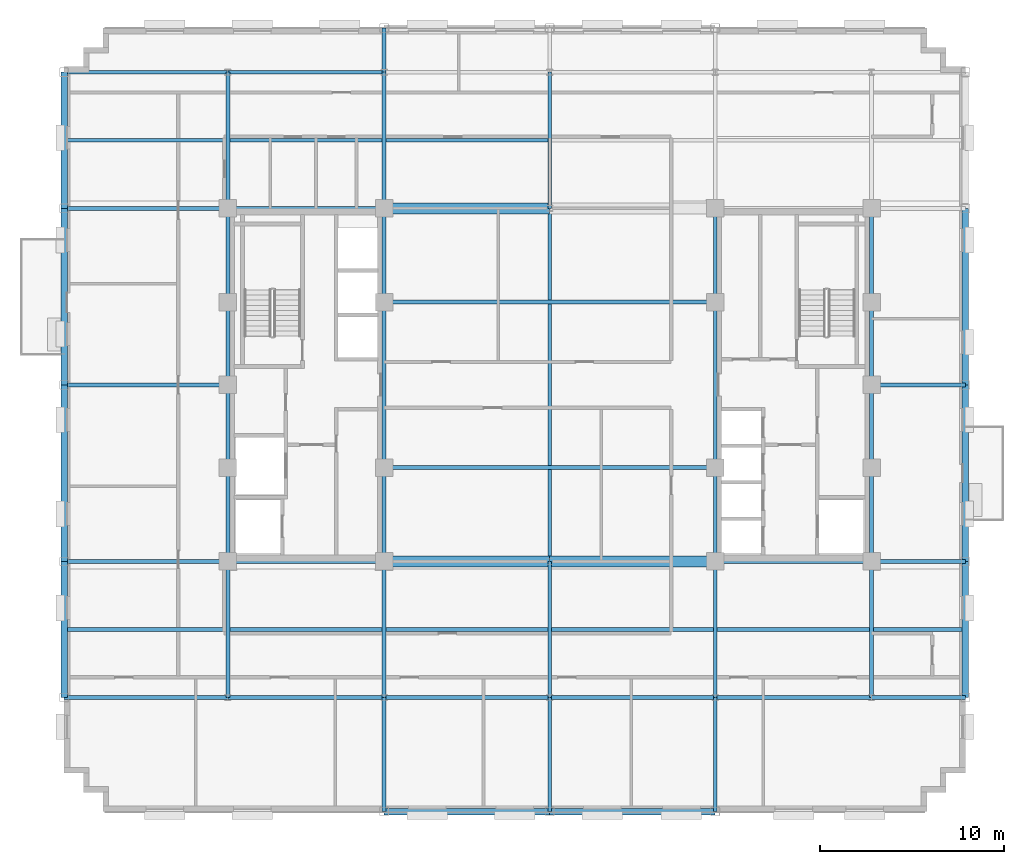
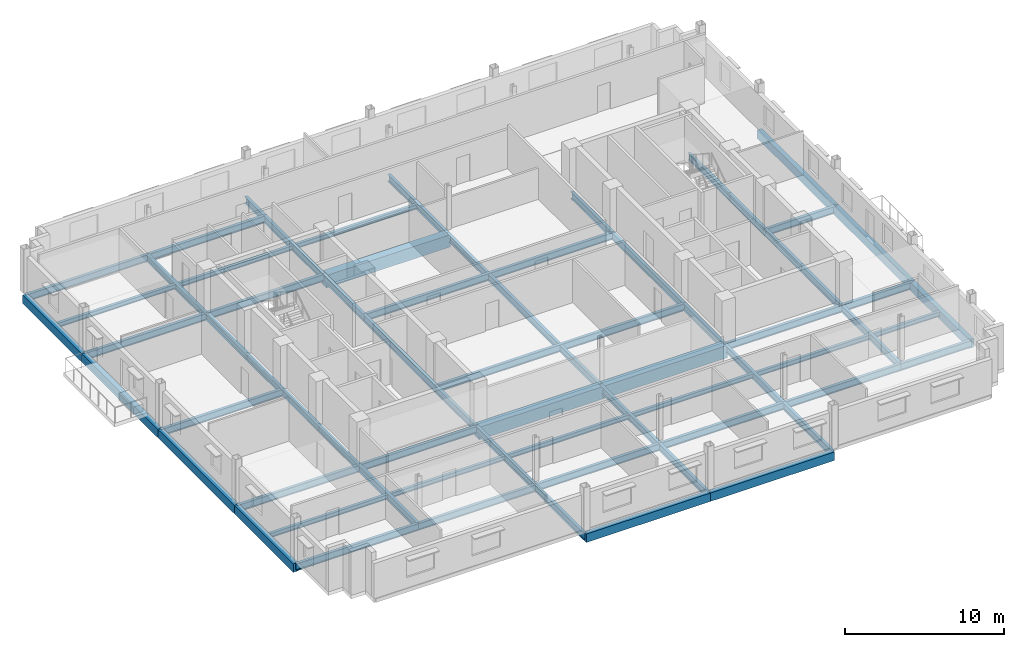
# One storey, part 5 of 15: 66 beams.
"""IFC4 building model written with IfcOpenShell, lengths in metres."""

import ifcopenshell
import ifcopenshell.guid

model = None  # the IFC model being written
_history = None  # IfcOwnerHistory: only IFC2X3 demands one
_inside = {}  # id of a spatial element -> (the spatial element, [elements in it])
_under = {}  # id of a project, library or spatial element -> (it, [spatial elements below it])
_declared = {}  # id of a project -> (the project, [libraries it declares])
_typed = {}  # id of a type object -> (the type object, [elements of that type])
_made_of = {}  # id of a material, layer set ... -> (it, [elements and type objects made of it])


def new_model(schema):
    """Start an empty IFC model of exactly this schema.

    Asked for "IFC4X3", IfcOpenShell would pick the latest addendum, in which some entities
    have other attributes; the version numbers below select the first issue.
    IFC2X3 requires an IfcOwnerHistory on every rooted entity: one is made here for all.
    """
    global model, _history
    if schema == "IFC4X3":
        model = ifcopenshell.file(schema_version=(4, 3, 0, 0))
    else:
        model = ifcopenshell.file(schema=schema)
    _inside.clear()
    _under.clear()
    _declared.clear()
    _typed.clear()
    _made_of.clear()
    _history = None
    if model.schema == "IFC2X3":
        org = make("IfcOrganization", Name="unknown")
        user = make(
            "IfcPersonAndOrganization",
            ThePerson=make("IfcPerson", FamilyName="unknown"),
            TheOrganization=org,
        )
        app = make(
            "IfcApplication",
            ApplicationDeveloper=org,
            Version="unknown",
            ApplicationFullName="unknown",
            ApplicationIdentifier="unknown",
        )
        _history = make(
            "IfcOwnerHistory",
            OwningUser=user,
            OwningApplication=app,
            ChangeAction="ADDED",
            CreationDate=0,
        )
    return model


def make(cls, **values):
    """One entity of the class cls with the attributes given. An attribute that is None is left unset."""
    return model.create_entity(
        cls, **{name: value for name, value in values.items() if value is not None}
    )


def rooted(cls, **values):
    """An entity with a GlobalId (a new one), such as an element, a storey or a relation."""
    return make(cls, GlobalId=ifcopenshell.guid.new(), OwnerHistory=_history, **values)


def si_unit(unit_type, name, prefix=None):
    """IfcSIUnit, for example si_unit("LENGTHUNIT", "METRE", prefix="MILLI")."""
    return make("IfcSIUnit", UnitType=unit_type, Prefix=prefix, Name=name)


def assignment(units):
    """IfcUnitAssignment: the units of a project."""
    return None if units is None else make("IfcUnitAssignment", Units=units)


def point(xyz):
    """IfcCartesianPoint."""
    return None if xyz is None else make("IfcCartesianPoint", Coordinates=xyz)


def direction(xyz):
    """IfcDirection."""
    return None if xyz is None else make("IfcDirection", DirectionRatios=xyz)


def frame(location, z_axis=None, x_axis=None):
    """IfcAxis2Placement3D, a coordinate frame: its origin and axes. An axis left out is left unset."""
    return make(
        "IfcAxis2Placement3D",
        Location=point(location),
        Axis=direction(z_axis),
        RefDirection=direction(x_axis),
    )


def frame_2d(location, x_axis=None):
    """IfcAxis2Placement2D, a coordinate frame in the plane: its origin and x axis."""
    return make(
        "IfcAxis2Placement2D", Location=point(location), RefDirection=direction(x_axis)
    )


def origin():
    """The frame at (0, 0, 0) with its axes left unset."""
    return frame((0.0, 0.0, 0.0))


def origin_2d():
    """The frame at (0, 0) in the plane with its x axis left unset."""
    return frame_2d((0.0, 0.0))


def place(relative_to, where):
    """IfcLocalPlacement: puts the frame where relative to a parent placement (None: the world)."""
    return make(
        "IfcLocalPlacement", PlacementRelTo=relative_to, RelativePlacement=where
    )


def context(
    kind, dimensions, precision=None, world=None, true_north=None, identifier=None
):
    """IfcGeometricRepresentationContext, for example the 3D "Model" context."""
    return make(
        "IfcGeometricRepresentationContext",
        ContextIdentifier=identifier,
        ContextType=kind,
        CoordinateSpaceDimension=dimensions,
        Precision=precision,
        WorldCoordinateSystem=world,
        TrueNorth=true_north,
    )


def subcontext(parent, identifier, kind, view, scale=None):
    """IfcGeometricRepresentationSubContext, for example "Body" below "Model"."""
    return make(
        "IfcGeometricRepresentationSubContext",
        ContextIdentifier=identifier,
        ContextType=kind,
        ParentContext=parent,
        TargetScale=scale,
        TargetView=view,
    )


def project(units=None, contexts=None):
    """IfcProject with its units and contexts."""
    return rooted(
        "IfcProject",
        Name="project",
        RepresentationContexts=contexts,
        UnitsInContext=assignment(units),
    )


def spatial(cls, under=None, at=None, **own):
    """A site, building, storey or space (cls), placed at a placement, below another one or the project."""
    s = rooted(cls, ObjectPlacement=at, **own)
    if under is not None:
        _under.setdefault(under.id(), (under, []))[1].append(s)
    return s


def profile(cls, at=None, kind="AREA", **sizes):
    """A parametric profile (cls). Its sizes go by their IFC names, for example OverallWidth=200.0."""
    return make(cls, ProfileType=kind, Position=at, **sizes)


def rectangle(**sizes):
    """IfcRectangleProfileDef."""
    return profile("IfcRectangleProfileDef", **sizes)


def i_section(**sizes):
    """IfcIShapeProfileDef."""
    return profile("IfcIShapeProfileDef", **sizes)


def extrude(swept, where, along, depth):
    """IfcExtrudedAreaSolid: the profile swept, set in the frame where, extruded along a direction by depth."""
    return make(
        "IfcExtrudedAreaSolid",
        SweptArea=swept,
        Position=where,
        ExtrudedDirection=direction(along),
        Depth=depth,
    )


def shape(context_of_items, identifier, shape_type, items):
    """IfcShapeRepresentation: the items that make up one representation, for example the "Body"."""
    return make(
        "IfcShapeRepresentation",
        ContextOfItems=context_of_items,
        RepresentationIdentifier=identifier,
        RepresentationType=shape_type,
        Items=items,
    )


def material(Name=None, Category=None):
    """IfcMaterial."""
    return make("IfcMaterial", Name=Name, Category=Category)


def material_profile(
    of_material, cross_section, Name=None, Category=None, Priority=None
):
    """IfcMaterialProfile: a cross section and its material."""
    return make(
        "IfcMaterialProfile",
        Name=Name,
        Material=of_material,
        Profile=cross_section,
        Priority=Priority,
        Category=Category,
    )


def profile_set(profiles, Name=None, composite=None):
    """IfcMaterialProfileSet."""
    return make(
        "IfcMaterialProfileSet",
        Name=Name,
        MaterialProfiles=profiles,
        CompositeProfile=composite,
    )


def made_of(thing, what):
    """Note that an element or type object is made of a material, layer set ...; save() writes the relation."""
    if what is not None:
        _made_of.setdefault(what.id(), (what, []))[1].append(thing)
    return thing


def type_object(cls, material=None, **own):
    """A type object (cls), such as IfcWallType, which elements share."""
    return made_of(rooted(cls, **own), material)


def element(
    cls,
    number,
    at=None,
    inside=None,
    cuts=None,
    type_object=None,
    material=None,
    context=None,
    identifier="Body",
    shape_type=None,
    held_by="IfcProductDefinitionShape",
    body=None,
    shapes=None,
    **own,
):
    """One element of the class cls, such as IfcWall. Its Tag is "e" and its number.

    at: its placement. inside: the storey or other place that contains it. cuts: it is an
    opening in that element (IfcRelVoidsElement). A single representation is given by context,
    identifier, shape_type and body (its items); several are given by shapes. held_by: the class
    of the entity that holds the representations. save() writes the other relations.
    """
    e = rooted(cls, Tag="e%d" % number, ObjectPlacement=at, **own)
    if body is not None:
        shapes = [shape(context, identifier, shape_type, body)]
    if shapes is not None:
        e.Representation = make(held_by, Representations=shapes)
    if inside is not None:
        _inside.setdefault(inside.id(), (inside, []))[1].append(e)
    if cuts is not None:
        rooted(
            "IfcRelVoidsElement", RelatingBuildingElement=cuts, RelatedOpeningElement=e
        )
    if type_object is not None:
        _typed.setdefault(type_object.id(), (type_object, []))[1].append(e)
    return made_of(e, material)


def aggregate(whole, parts):
    """IfcRelAggregates: a whole, such as a stair, and the parts it consists of."""
    return rooted("IfcRelAggregates", RelatingObject=whole, RelatedObjects=parts)


def save(model, path):
    """Write the relations noted so far, then the file.

    IfcRelAggregates (storeys below a building ...), IfcRelContainedInSpatialStructure (elements
    in a storey), IfcRelDefinesByType, IfcRelAssociatesMaterial and IfcRelDeclares: one each for
    every whole, place, type object, material and project.
    """
    for whole, parts in _under.values():
        aggregate(whole, parts)
    for where, things in _inside.values():
        rooted(
            "IfcRelContainedInSpatialStructure",
            RelatedElements=things,
            RelatingStructure=where,
        )
    for kind, things in _typed.values():
        rooted("IfcRelDefinesByType", RelatedObjects=things, RelatingType=kind)
    for what, things in _made_of.values():
        rooted("IfcRelAssociatesMaterial", RelatedObjects=things, RelatingMaterial=what)
    for by, libraries in _declared.values():
        rooted("IfcRelDeclares", RelatingContext=by, RelatedDefinitions=libraries)
    model.write(path)


model = new_model("IFC4")

# Units and contexts
model_context = context("Model", 3, precision=1e-05, world=origin(), true_north=direction((0.0, 1.0)))
body_context = subcontext(model_context, "Body", "Model", "MODEL_VIEW")
ifc_project = project(units=[si_unit("LENGTHUNIT", "METRE"), si_unit("AREAUNIT", "SQUARE_METRE"), si_unit("VOLUMEUNIT", "CUBIC_METRE"), si_unit("PLANEANGLEUNIT", "RADIAN"), si_unit("MASSUNIT", "GRAM", prefix="KILO")], contexts=[model_context])

# Site, building, storey
site_placement = place(None, origin())
site = spatial("IfcSite", under=ifc_project, at=site_placement, CompositionType="ELEMENT")
building_placement = place(site_placement, origin())
building = spatial("IfcBuilding", under=site, at=building_placement, Name="Nuvemarco Arch Tower", CompositionType="ELEMENT")
storey_placement = place(building_placement, frame((0.0, 0.0, 190.89990234375)))
storey = spatial("IfcBuildingStorey", under=building, at=storey_placement, Name="L50", CompositionType="ELEMENT", Elevation=190.89990234375)

# Beams
ifc_material_1 = material(Name="Concrete C60/75", Category="concrete")
ifc_material_profile_1 = material_profile(ifc_material_1, rectangle(XDim=0.60009765625, YDim=0.949951171875, at=origin_2d()), Name="RC-BM-600x950")
ifc_profile_set_1 = profile_set([ifc_material_profile_1], Name="Concrete C60/75")
beam_type_1 = type_object("IfcBeamType", Name="BM-COUP-RC", PredefinedType="LINTEL", material=ifc_profile_set_1)
for number, where, z_axis, x_axis, name in (
    (1, (-9.0, -9.60009765625, -0.7548828125), (1.0, 0.0, 0.0), (0.0, 1.0, 0.0), "L50 structural beam BGEW_L50_0_-9.6_-9.0"),
    (2, (0.0, -9.60009765625, -0.7548828125), (1.0, 0.0, 0.0), (0.0, 1.0, 0.0), "L50 structural beam BGEW_L50_0_-9.6_+0.0"),
    (3, (-9.0, 9.60009765625, -0.7548828125), (1.0, 0.0, 0.0), (0.0, 1.0, 0.0), "L50 structural beam BGEW_L50_0_+9.6_-9.0"),
):
    element("IfcBeam", number, at=place(storey_placement, frame(where, z_axis=z_axis, x_axis=x_axis)), inside=storey, type_object=beam_type_1, Name=name, PredefinedType="LINTEL", context=body_context, shape_type="SweptSolid", body=[
        extrude(rectangle(XDim=0.60009765625, YDim=0.949951171875, at=origin_2d()), origin(), (0.0, 0.0, 1.0), 9.0),
    ])
ifc_material_2 = material(Name="Steel S355", Category="steel")
ifc_material_profile_2 = material_profile(ifc_material_2, i_section(OverallWidth=0.2109375, OverallDepth=0.5390625, WebThickness=0.01171875, FlangeThickness=0.018798828125, FilletRadius=0.01611328125, at=origin_2d()), Name="W530x109")
ifc_profile_set_2 = profile_set([ifc_material_profile_2], Name="Steel S355")
beam_type_2 = type_object("IfcBeamType", Name="BM-GIRD-530", PredefinedType="BEAM", material=ifc_profile_set_2)
beam_1_placement = place(storey_placement, frame((-17.5, -17.0, -0.54931640625), z_axis=(0.0, 1.0, 0.0), x_axis=(-1.0, 0.0, 0.0)))
element("IfcBeam", 4, at=beam_1_placement, inside=storey, type_object=beam_type_2, Name="L50 structural beam BGNS_L50_0_-17.5_-17.0", PredefinedType="BEAM", context=body_context, shape_type="SweptSolid", body=[
    extrude(i_section(OverallWidth=0.2109375, OverallDepth=0.5390625, WebThickness=0.01171875, FlangeThickness=0.018798828125, FilletRadius=0.01611328125, at=origin_2d()), origin(), (0.0, 0.0, 1.0), 7.39990234375),
])
beam_2_placement = place(storey_placement, frame((-17.5, -9.60009765625, -0.54931640625), z_axis=(0.0, 1.0, 0.0), x_axis=(-1.0, 0.0, 0.0)))
element("IfcBeam", 5, at=beam_2_placement, inside=storey, type_object=beam_type_2, Name="L50 structural beam BGNS_L50_0_-17.5_-9.6", PredefinedType="BEAM", context=body_context, shape_type="SweptSolid", body=[
    extrude(i_section(OverallWidth=0.2109375, OverallDepth=0.5390625, WebThickness=0.01171875, FlangeThickness=0.018798828125, FilletRadius=0.01611328125, at=origin_2d()), origin(), (0.0, 0.0, 1.0), 5.10009765625),
])
for number, where, z_axis, x_axis, name in (
    (6, (-17.5, -4.5, -0.54931640625), (0.0, 1.0, 0.0), (-1.0, 0.0, 0.0), "L50 structural beam BGNS_L50_0_-17.5_-4.5"),
    (7, (-17.5, 0.0, -0.54931640625), (0.0, 1.0, 0.0), (-1.0, 0.0, 0.0), "L50 structural beam BGNS_L50_0_-17.5_+0.0"),
):
    element("IfcBeam", number, at=place(storey_placement, frame(where, z_axis=z_axis, x_axis=x_axis)), inside=storey, type_object=beam_type_2, Name=name, PredefinedType="BEAM", context=body_context, shape_type="SweptSolid", body=[
        extrude(i_section(OverallWidth=0.2109375, OverallDepth=0.5390625, WebThickness=0.01171875, FlangeThickness=0.018798828125, FilletRadius=0.01611328125, at=origin_2d()), origin(), (0.0, 0.0, 1.0), 4.5),
    ])
beam_3_placement = place(storey_placement, frame((-17.5, 4.5, -0.54931640625), z_axis=(0.0, 1.0, 0.0), x_axis=(-1.0, 0.0, 0.0)))
element("IfcBeam", 8, at=beam_3_placement, inside=storey, type_object=beam_type_2, Name="L50 structural beam BGNS_L50_0_-17.5_+4.5", PredefinedType="BEAM", context=body_context, shape_type="SweptSolid", body=[
    extrude(i_section(OverallWidth=0.2109375, OverallDepth=0.5390625, WebThickness=0.01171875, FlangeThickness=0.018798828125, FilletRadius=0.01611328125, at=origin_2d()), origin(), (0.0, 0.0, 1.0), 5.10009765625),
])
beam_4_placement = place(storey_placement, frame((-17.5, 9.60009765625, -0.54931640625), z_axis=(0.0, 1.0, 0.0), x_axis=(-1.0, 0.0, 0.0)))
element("IfcBeam", 9, at=beam_4_placement, inside=storey, type_object=beam_type_2, Name="L50 structural beam BGNS_L50_0_-17.5_+9.6", PredefinedType="BEAM", context=body_context, shape_type="SweptSolid", body=[
    extrude(i_section(OverallWidth=0.2109375, OverallDepth=0.5390625, WebThickness=0.01171875, FlangeThickness=0.018798828125, FilletRadius=0.01611328125, at=origin_2d()), origin(), (0.0, 0.0, 1.0), 7.39990234375),
])
beam_5_placement = place(storey_placement, frame((-9.0, -23.199951171875, -0.54931640625), z_axis=(0.0, 1.0, 0.0), x_axis=(-1.0, 0.0, 0.0)))
element("IfcBeam", 10, at=beam_5_placement, inside=storey, type_object=beam_type_2, Name="L50 structural beam BGNS_L50_0_-9.0_-23.2", PredefinedType="BEAM", context=body_context, shape_type="SweptSolid", body=[
    extrude(i_section(OverallWidth=0.2109375, OverallDepth=0.5390625, WebThickness=0.01171875, FlangeThickness=0.018798828125, FilletRadius=0.01611328125, at=origin_2d()), origin(), (0.0, 0.0, 1.0), 6.199951171875),
])
beam_6_placement = place(storey_placement, frame((-9.0, -17.0, -0.54931640625), z_axis=(0.0, 1.0, 0.0), x_axis=(-1.0, 0.0, 0.0)))
element("IfcBeam", 11, at=beam_6_placement, inside=storey, type_object=beam_type_2, Name="L50 structural beam BGNS_L50_0_-9.0_-17.0", PredefinedType="BEAM", context=body_context, shape_type="SweptSolid", body=[
    extrude(i_section(OverallWidth=0.2109375, OverallDepth=0.5390625, WebThickness=0.01171875, FlangeThickness=0.018798828125, FilletRadius=0.01611328125, at=origin_2d()), origin(), (0.0, 0.0, 1.0), 7.39990234375),
])
beam_7_placement = place(storey_placement, frame((-9.0, -9.60009765625, -0.54931640625), z_axis=(0.0, 1.0, 0.0), x_axis=(-1.0, 0.0, 0.0)))
element("IfcBeam", 12, at=beam_7_placement, inside=storey, type_object=beam_type_2, Name="L50 structural beam BGNS_L50_0_-9.0_-9.6", PredefinedType="BEAM", context=body_context, shape_type="SweptSolid", body=[
    extrude(i_section(OverallWidth=0.2109375, OverallDepth=0.5390625, WebThickness=0.01171875, FlangeThickness=0.018798828125, FilletRadius=0.01611328125, at=origin_2d()), origin(), (0.0, 0.0, 1.0), 5.10009765625),
])
beam_8_placement = place(storey_placement, frame((-9.0, -4.5, -0.54931640625), z_axis=(0.0, 1.0, 0.0), x_axis=(-1.0, 0.0, 0.0)))
element("IfcBeam", 13, at=beam_8_placement, inside=storey, type_object=beam_type_2, Name="L50 structural beam BGNS_L50_0_-9.0_-4.5", PredefinedType="BEAM", context=body_context, shape_type="SweptSolid", body=[
    extrude(i_section(OverallWidth=0.2109375, OverallDepth=0.5390625, WebThickness=0.01171875, FlangeThickness=0.018798828125, FilletRadius=0.01611328125, at=origin_2d()), origin(), (0.0, 0.0, 1.0), 9.0),
])
beam_9_placement = place(storey_placement, frame((-9.0, 4.5, -0.54931640625), z_axis=(0.0, 1.0, 0.0), x_axis=(-1.0, 0.0, 0.0)))
element("IfcBeam", 14, at=beam_9_placement, inside=storey, type_object=beam_type_2, Name="L50 structural beam BGNS_L50_0_-9.0_+4.5", PredefinedType="BEAM", context=body_context, shape_type="SweptSolid", body=[
    extrude(i_section(OverallWidth=0.2109375, OverallDepth=0.5390625, WebThickness=0.01171875, FlangeThickness=0.018798828125, FilletRadius=0.01611328125, at=origin_2d()), origin(), (0.0, 0.0, 1.0), 5.10009765625),
])
beam_10_placement = place(storey_placement, frame((-9.0, 9.60009765625, -0.54931640625), z_axis=(0.0, 1.0, 0.0), x_axis=(-1.0, 0.0, 0.0)))
element("IfcBeam", 15, at=beam_10_placement, inside=storey, type_object=beam_type_2, Name="L50 structural beam BGNS_L50_0_-9.0_+9.6", PredefinedType="BEAM", context=body_context, shape_type="SweptSolid", body=[
    extrude(i_section(OverallWidth=0.2109375, OverallDepth=0.5390625, WebThickness=0.01171875, FlangeThickness=0.018798828125, FilletRadius=0.01611328125, at=origin_2d()), origin(), (0.0, 0.0, 1.0), 7.39990234375),
])
beam_11_placement = place(storey_placement, frame((-9.0, 17.0, -0.54931640625), z_axis=(0.0, 1.0, 0.0), x_axis=(-1.0, 0.0, 0.0)))
element("IfcBeam", 16, at=beam_11_placement, inside=storey, type_object=beam_type_2, Name="L50 structural beam BGNS_L50_0_-9.0_+17.0", PredefinedType="BEAM", context=body_context, shape_type="SweptSolid", body=[
    extrude(i_section(OverallWidth=0.2109375, OverallDepth=0.5390625, WebThickness=0.01171875, FlangeThickness=0.018798828125, FilletRadius=0.01611328125, at=origin_2d()), origin(), (0.0, 0.0, 1.0), 2.39990234375),
])
beam_12_placement = place(storey_placement, frame((0.0, -23.199951171875, -0.54931640625), z_axis=(0.0, 1.0, 0.0), x_axis=(-1.0, 0.0, 0.0)))
element("IfcBeam", 17, at=beam_12_placement, inside=storey, type_object=beam_type_2, Name="L50 structural beam BGNS_L50_0_+0.0_-23.2", PredefinedType="BEAM", context=body_context, shape_type="SweptSolid", body=[
    extrude(i_section(OverallWidth=0.2109375, OverallDepth=0.5390625, WebThickness=0.01171875, FlangeThickness=0.018798828125, FilletRadius=0.01611328125, at=origin_2d()), origin(), (0.0, 0.0, 1.0), 6.199951171875),
])
beam_13_placement = place(storey_placement, frame((0.0, -17.0, -0.54931640625), z_axis=(0.0, 1.0, 0.0), x_axis=(-1.0, 0.0, 0.0)))
element("IfcBeam", 18, at=beam_13_placement, inside=storey, type_object=beam_type_2, Name="L50 structural beam BGNS_L50_0_+0.0_-17.0", PredefinedType="BEAM", context=body_context, shape_type="SweptSolid", body=[
    extrude(i_section(OverallWidth=0.2109375, OverallDepth=0.5390625, WebThickness=0.01171875, FlangeThickness=0.018798828125, FilletRadius=0.01611328125, at=origin_2d()), origin(), (0.0, 0.0, 1.0), 7.39990234375),
])
beam_14_placement = place(storey_placement, frame((0.0, -9.60009765625, -0.54931640625), z_axis=(0.0, 1.0, 0.0), x_axis=(-1.0, 0.0, 0.0)))
element("IfcBeam", 19, at=beam_14_placement, inside=storey, type_object=beam_type_2, Name="L50 structural beam BGNS_L50_0_+0.0_-9.6", PredefinedType="BEAM", context=body_context, shape_type="SweptSolid", body=[
    extrude(i_section(OverallWidth=0.2109375, OverallDepth=0.5390625, WebThickness=0.01171875, FlangeThickness=0.018798828125, FilletRadius=0.01611328125, at=origin_2d()), origin(), (0.0, 0.0, 1.0), 19.2001953125),
])
beam_15_placement = place(storey_placement, frame((0.0, 9.60009765625, -0.54931640625), z_axis=(0.0, 1.0, 0.0), x_axis=(-1.0, 0.0, 0.0)))
element("IfcBeam", 20, at=beam_15_placement, inside=storey, type_object=beam_type_2, Name="L50 structural beam BGNS_L50_0_+0.0_+9.6", PredefinedType="BEAM", context=body_context, shape_type="SweptSolid", body=[
    extrude(i_section(OverallWidth=0.2109375, OverallDepth=0.5390625, WebThickness=0.01171875, FlangeThickness=0.018798828125, FilletRadius=0.01611328125, at=origin_2d()), origin(), (0.0, 0.0, 1.0), 7.39990234375),
])
beam_16_placement = place(storey_placement, frame((9.0, -23.199951171875, -0.54931640625), z_axis=(0.0, 1.0, 0.0), x_axis=(-1.0, 0.0, 0.0)))
element("IfcBeam", 21, at=beam_16_placement, inside=storey, type_object=beam_type_2, Name="L50 structural beam BGNS_L50_0_+9.0_-23.2", PredefinedType="BEAM", context=body_context, shape_type="SweptSolid", body=[
    extrude(i_section(OverallWidth=0.2109375, OverallDepth=0.5390625, WebThickness=0.01171875, FlangeThickness=0.018798828125, FilletRadius=0.01611328125, at=origin_2d()), origin(), (0.0, 0.0, 1.0), 6.199951171875),
])
beam_17_placement = place(storey_placement, frame((9.0, -17.0, -0.54931640625), z_axis=(0.0, 1.0, 0.0), x_axis=(-1.0, 0.0, 0.0)))
element("IfcBeam", 22, at=beam_17_placement, inside=storey, type_object=beam_type_2, Name="L50 structural beam BGNS_L50_0_+9.0_-17.0", PredefinedType="BEAM", context=body_context, shape_type="SweptSolid", body=[
    extrude(i_section(OverallWidth=0.2109375, OverallDepth=0.5390625, WebThickness=0.01171875, FlangeThickness=0.018798828125, FilletRadius=0.01611328125, at=origin_2d()), origin(), (0.0, 0.0, 1.0), 7.39990234375),
])
beam_18_placement = place(storey_placement, frame((9.0, -9.60009765625, -0.54931640625), z_axis=(0.0, 1.0, 0.0), x_axis=(-1.0, 0.0, 0.0)))
element("IfcBeam", 23, at=beam_18_placement, inside=storey, type_object=beam_type_2, Name="L50 structural beam BGNS_L50_0_+9.0_-9.6", PredefinedType="BEAM", context=body_context, shape_type="SweptSolid", body=[
    extrude(i_section(OverallWidth=0.2109375, OverallDepth=0.5390625, WebThickness=0.01171875, FlangeThickness=0.018798828125, FilletRadius=0.01611328125, at=origin_2d()), origin(), (0.0, 0.0, 1.0), 5.10009765625),
])
beam_19_placement = place(storey_placement, frame((9.0, -4.5, -0.54931640625), z_axis=(0.0, 1.0, 0.0), x_axis=(-1.0, 0.0, 0.0)))
element("IfcBeam", 24, at=beam_19_placement, inside=storey, type_object=beam_type_2, Name="L50 structural beam BGNS_L50_0_+9.0_-4.5", PredefinedType="BEAM", context=body_context, shape_type="SweptSolid", body=[
    extrude(i_section(OverallWidth=0.2109375, OverallDepth=0.5390625, WebThickness=0.01171875, FlangeThickness=0.018798828125, FilletRadius=0.01611328125, at=origin_2d()), origin(), (0.0, 0.0, 1.0), 9.0),
])
beam_20_placement = place(storey_placement, frame((9.0, 4.5, -0.54931640625), z_axis=(0.0, 1.0, 0.0), x_axis=(-1.0, 0.0, 0.0)))
element("IfcBeam", 25, at=beam_20_placement, inside=storey, type_object=beam_type_2, Name="L50 structural beam BGNS_L50_0_+9.0_+4.5", PredefinedType="BEAM", context=body_context, shape_type="SweptSolid", body=[
    extrude(i_section(OverallWidth=0.2109375, OverallDepth=0.5390625, WebThickness=0.01171875, FlangeThickness=0.018798828125, FilletRadius=0.01611328125, at=origin_2d()), origin(), (0.0, 0.0, 1.0), 5.10009765625),
])
beam_21_placement = place(storey_placement, frame((17.5, -17.0, -0.54931640625), z_axis=(0.0, 1.0, 0.0), x_axis=(-1.0, 0.0, 0.0)))
element("IfcBeam", 26, at=beam_21_placement, inside=storey, type_object=beam_type_2, Name="L50 structural beam BGNS_L50_0_+17.5_-17.0", PredefinedType="BEAM", context=body_context, shape_type="SweptSolid", body=[
    extrude(i_section(OverallWidth=0.2109375, OverallDepth=0.5390625, WebThickness=0.01171875, FlangeThickness=0.018798828125, FilletRadius=0.01611328125, at=origin_2d()), origin(), (0.0, 0.0, 1.0), 7.39990234375),
])
beam_22_placement = place(storey_placement, frame((17.5, -9.60009765625, -0.54931640625), z_axis=(0.0, 1.0, 0.0), x_axis=(-1.0, 0.0, 0.0)))
element("IfcBeam", 27, at=beam_22_placement, inside=storey, type_object=beam_type_2, Name="L50 structural beam BGNS_L50_0_+17.5_-9.6", PredefinedType="BEAM", context=body_context, shape_type="SweptSolid", body=[
    extrude(i_section(OverallWidth=0.2109375, OverallDepth=0.5390625, WebThickness=0.01171875, FlangeThickness=0.018798828125, FilletRadius=0.01611328125, at=origin_2d()), origin(), (0.0, 0.0, 1.0), 5.10009765625),
])
for number, where, z_axis, x_axis, name in (
    (28, (17.5, -4.5, -0.54931640625), (0.0, 1.0, 0.0), (-1.0, 0.0, 0.0), "L50 structural beam BGNS_L50_0_+17.5_-4.5"),
    (29, (17.5, 0.0, -0.54931640625), (0.0, 1.0, 0.0), (-1.0, 0.0, 0.0), "L50 structural beam BGNS_L50_0_+17.5_+0.0"),
):
    element("IfcBeam", number, at=place(storey_placement, frame(where, z_axis=z_axis, x_axis=x_axis)), inside=storey, type_object=beam_type_2, Name=name, PredefinedType="BEAM", context=body_context, shape_type="SweptSolid", body=[
        extrude(i_section(OverallWidth=0.2109375, OverallDepth=0.5390625, WebThickness=0.01171875, FlangeThickness=0.018798828125, FilletRadius=0.01611328125, at=origin_2d()), origin(), (0.0, 0.0, 1.0), 4.5),
    ])
beam_23_placement = place(storey_placement, frame((17.5, 4.5, -0.54931640625), z_axis=(0.0, 1.0, 0.0), x_axis=(-1.0, 0.0, 0.0)))
element("IfcBeam", 30, at=beam_23_placement, inside=storey, type_object=beam_type_2, Name="L50 structural beam BGNS_L50_0_+17.5_+4.5", PredefinedType="BEAM", context=body_context, shape_type="SweptSolid", body=[
    extrude(i_section(OverallWidth=0.2109375, OverallDepth=0.5390625, WebThickness=0.01171875, FlangeThickness=0.018798828125, FilletRadius=0.01611328125, at=origin_2d()), origin(), (0.0, 0.0, 1.0), 5.10009765625),
])
beam_24_placement = place(storey_placement, frame((-26.39990234375, -17.0, -0.54931640625), z_axis=(1.0, 0.0, 0.0), x_axis=(0.0, 1.0, 0.0)))
element("IfcBeam", 31, at=beam_24_placement, inside=storey, type_object=beam_type_2, Name="L50 structural beam BGEW_L50_0_-17.0_-26.4", PredefinedType="BEAM", context=body_context, shape_type="SweptSolid", body=[
    extrude(i_section(OverallWidth=0.2109375, OverallDepth=0.5390625, WebThickness=0.01171875, FlangeThickness=0.018798828125, FilletRadius=0.01611328125, at=origin_2d()), origin(), (0.0, 0.0, 1.0), 8.89990234375),
])
beam_25_placement = place(storey_placement, frame((-17.5, -17.0, -0.54931640625), z_axis=(1.0, 0.0, 0.0), x_axis=(0.0, 1.0, 0.0)))
element("IfcBeam", 32, at=beam_25_placement, inside=storey, type_object=beam_type_2, Name="L50 structural beam BGEW_L50_0_-17.0_-17.5", PredefinedType="BEAM", context=body_context, shape_type="SweptSolid", body=[
    extrude(i_section(OverallWidth=0.2109375, OverallDepth=0.5390625, WebThickness=0.01171875, FlangeThickness=0.018798828125, FilletRadius=0.01611328125, at=origin_2d()), origin(), (0.0, 0.0, 1.0), 8.5),
])
for number, where, z_axis, x_axis, name in (
    (33, (-9.0, -17.0, -0.54931640625), (1.0, 0.0, 0.0), (0.0, 1.0, 0.0), "L50 structural beam BGEW_L50_0_-17.0_-9.0"),
    (34, (0.0, -17.0, -0.54931640625), (1.0, 0.0, 0.0), (0.0, 1.0, 0.0), "L50 structural beam BGEW_L50_0_-17.0_+0.0"),
):
    element("IfcBeam", number, at=place(storey_placement, frame(where, z_axis=z_axis, x_axis=x_axis)), inside=storey, type_object=beam_type_2, Name=name, PredefinedType="BEAM", context=body_context, shape_type="SweptSolid", body=[
        extrude(i_section(OverallWidth=0.2109375, OverallDepth=0.5390625, WebThickness=0.01171875, FlangeThickness=0.018798828125, FilletRadius=0.01611328125, at=origin_2d()), origin(), (0.0, 0.0, 1.0), 9.0),
    ])
beam_26_placement = place(storey_placement, frame((9.0, -17.0, -0.54931640625), z_axis=(1.0, 0.0, 0.0), x_axis=(0.0, 1.0, 0.0)))
element("IfcBeam", 35, at=beam_26_placement, inside=storey, type_object=beam_type_2, Name="L50 structural beam BGEW_L50_0_-17.0_+9.0", PredefinedType="BEAM", context=body_context, shape_type="SweptSolid", body=[
    extrude(i_section(OverallWidth=0.2109375, OverallDepth=0.5390625, WebThickness=0.01171875, FlangeThickness=0.018798828125, FilletRadius=0.01611328125, at=origin_2d()), origin(), (0.0, 0.0, 1.0), 8.5),
])
beam_27_placement = place(storey_placement, frame((17.5, -17.0, -0.54931640625), z_axis=(1.0, 0.0, 0.0), x_axis=(0.0, 1.0, 0.0)))
element("IfcBeam", 36, at=beam_27_placement, inside=storey, type_object=beam_type_2, Name="L50 structural beam BGEW_L50_0_-17.0_+17.5", PredefinedType="BEAM", context=body_context, shape_type="SweptSolid", body=[
    extrude(i_section(OverallWidth=0.2109375, OverallDepth=0.5390625, WebThickness=0.01171875, FlangeThickness=0.018798828125, FilletRadius=0.01611328125, at=origin_2d()), origin(), (0.0, 0.0, 1.0), 5.10009765625),
])
beam_28_placement = place(storey_placement, frame((-26.39990234375, -9.60009765625, -0.54931640625), z_axis=(1.0, 0.0, 0.0), x_axis=(0.0, 1.0, 0.0)))
element("IfcBeam", 37, at=beam_28_placement, inside=storey, type_object=beam_type_2, Name="L50 structural beam BGEW_L50_0_-9.6_-26.4", PredefinedType="BEAM", context=body_context, shape_type="SweptSolid", body=[
    extrude(i_section(OverallWidth=0.2109375, OverallDepth=0.5390625, WebThickness=0.01171875, FlangeThickness=0.018798828125, FilletRadius=0.01611328125, at=origin_2d()), origin(), (0.0, 0.0, 1.0), 8.89990234375),
])
for number, where, z_axis, x_axis, name in (
    (38, (-17.5, -9.60009765625, -0.54931640625), (1.0, 0.0, 0.0), (0.0, 1.0, 0.0), "L50 structural beam BGEW_L50_0_-9.6_-17.5"),
    (39, (9.0, -9.60009765625, -0.54931640625), (1.0, 0.0, 0.0), (0.0, 1.0, 0.0), "L50 structural beam BGEW_L50_0_-9.6_+9.0"),
):
    element("IfcBeam", number, at=place(storey_placement, frame(where, z_axis=z_axis, x_axis=x_axis)), inside=storey, type_object=beam_type_2, Name=name, PredefinedType="BEAM", context=body_context, shape_type="SweptSolid", body=[
        extrude(i_section(OverallWidth=0.2109375, OverallDepth=0.5390625, WebThickness=0.01171875, FlangeThickness=0.018798828125, FilletRadius=0.01611328125, at=origin_2d()), origin(), (0.0, 0.0, 1.0), 8.5),
    ])
beam_29_placement = place(storey_placement, frame((17.5, -9.60009765625, -0.54931640625), z_axis=(1.0, 0.0, 0.0), x_axis=(0.0, 1.0, 0.0)))
element("IfcBeam", 40, at=beam_29_placement, inside=storey, type_object=beam_type_2, Name="L50 structural beam BGEW_L50_0_-9.6_+17.5", PredefinedType="BEAM", context=body_context, shape_type="SweptSolid", body=[
    extrude(i_section(OverallWidth=0.2109375, OverallDepth=0.5390625, WebThickness=0.01171875, FlangeThickness=0.018798828125, FilletRadius=0.01611328125, at=origin_2d()), origin(), (0.0, 0.0, 1.0), 5.10009765625),
])
beam_30_placement = place(storey_placement, frame((-9.0, -4.5, -0.54931640625), z_axis=(1.0, 0.0, 0.0), x_axis=(0.0, 1.0, 0.0)))
element("IfcBeam", 41, at=beam_30_placement, inside=storey, type_object=beam_type_2, Name="L50 structural beam BGEW_L50_0_-4.5_-9.0", PredefinedType="BEAM", context=body_context, shape_type="SweptSolid", body=[
    extrude(i_section(OverallWidth=0.2109375, OverallDepth=0.5390625, WebThickness=0.01171875, FlangeThickness=0.018798828125, FilletRadius=0.01611328125, at=origin_2d()), origin(), (0.0, 0.0, 1.0), 18.0),
])
beam_31_placement = place(storey_placement, frame((-26.39990234375, 0.0, -0.54931640625), z_axis=(1.0, 0.0, 0.0), x_axis=(0.0, 1.0, 0.0)))
element("IfcBeam", 42, at=beam_31_placement, inside=storey, type_object=beam_type_2, Name="L50 structural beam BGEW_L50_0_+0.0_-26.4", PredefinedType="BEAM", context=body_context, shape_type="SweptSolid", body=[
    extrude(i_section(OverallWidth=0.2109375, OverallDepth=0.5390625, WebThickness=0.01171875, FlangeThickness=0.018798828125, FilletRadius=0.01611328125, at=origin_2d()), origin(), (0.0, 0.0, 1.0), 8.89990234375),
])
beam_32_placement = place(storey_placement, frame((17.5, 0.0, -0.54931640625), z_axis=(1.0, 0.0, 0.0), x_axis=(0.0, 1.0, 0.0)))
element("IfcBeam", 43, at=beam_32_placement, inside=storey, type_object=beam_type_2, Name="L50 structural beam BGEW_L50_0_+0.0_+17.5", PredefinedType="BEAM", context=body_context, shape_type="SweptSolid", body=[
    extrude(i_section(OverallWidth=0.2109375, OverallDepth=0.5390625, WebThickness=0.01171875, FlangeThickness=0.018798828125, FilletRadius=0.01611328125, at=origin_2d()), origin(), (0.0, 0.0, 1.0), 5.10009765625),
])
beam_33_placement = place(storey_placement, frame((-9.0, 4.5, -0.54931640625), z_axis=(1.0, 0.0, 0.0), x_axis=(0.0, 1.0, 0.0)))
element("IfcBeam", 44, at=beam_33_placement, inside=storey, type_object=beam_type_2, Name="L50 structural beam BGEW_L50_0_+4.5_-9.0", PredefinedType="BEAM", context=body_context, shape_type="SweptSolid", body=[
    extrude(i_section(OverallWidth=0.2109375, OverallDepth=0.5390625, WebThickness=0.01171875, FlangeThickness=0.018798828125, FilletRadius=0.01611328125, at=origin_2d()), origin(), (0.0, 0.0, 1.0), 18.0),
])
beam_34_placement = place(storey_placement, frame((-26.39990234375, 9.60009765625, -0.54931640625), z_axis=(1.0, 0.0, 0.0), x_axis=(0.0, 1.0, 0.0)))
element("IfcBeam", 45, at=beam_34_placement, inside=storey, type_object=beam_type_2, Name="L50 structural beam BGEW_L50_0_+9.6_-26.4", PredefinedType="BEAM", context=body_context, shape_type="SweptSolid", body=[
    extrude(i_section(OverallWidth=0.2109375, OverallDepth=0.5390625, WebThickness=0.01171875, FlangeThickness=0.018798828125, FilletRadius=0.01611328125, at=origin_2d()), origin(), (0.0, 0.0, 1.0), 8.89990234375),
])
beam_35_placement = place(storey_placement, frame((-17.5, 9.60009765625, -0.54931640625), z_axis=(1.0, 0.0, 0.0), x_axis=(0.0, 1.0, 0.0)))
element("IfcBeam", 46, at=beam_35_placement, inside=storey, type_object=beam_type_2, Name="L50 structural beam BGEW_L50_0_+9.6_-17.5", PredefinedType="BEAM", context=body_context, shape_type="SweptSolid", body=[
    extrude(i_section(OverallWidth=0.2109375, OverallDepth=0.5390625, WebThickness=0.01171875, FlangeThickness=0.018798828125, FilletRadius=0.01611328125, at=origin_2d()), origin(), (0.0, 0.0, 1.0), 8.5),
])
beam_36_placement = place(storey_placement, frame((-26.39990234375, 17.0, -0.54931640625), z_axis=(1.0, 0.0, 0.0), x_axis=(0.0, 1.0, 0.0)))
element("IfcBeam", 47, at=beam_36_placement, inside=storey, type_object=beam_type_2, Name="L50 structural beam BGEW_L50_0_+17.0_-26.4", PredefinedType="BEAM", context=body_context, shape_type="SweptSolid", body=[
    extrude(i_section(OverallWidth=0.2109375, OverallDepth=0.5390625, WebThickness=0.01171875, FlangeThickness=0.018798828125, FilletRadius=0.01611328125, at=origin_2d()), origin(), (0.0, 0.0, 1.0), 8.89990234375),
])
beam_37_placement = place(storey_placement, frame((-17.5, 17.0, -0.54931640625), z_axis=(1.0, 0.0, 0.0), x_axis=(0.0, 1.0, 0.0)))
element("IfcBeam", 48, at=beam_37_placement, inside=storey, type_object=beam_type_2, Name="L50 structural beam BGEW_L50_0_+17.0_-17.5", PredefinedType="BEAM", context=body_context, shape_type="SweptSolid", body=[
    extrude(i_section(OverallWidth=0.2109375, OverallDepth=0.5390625, WebThickness=0.01171875, FlangeThickness=0.018798828125, FilletRadius=0.01611328125, at=origin_2d()), origin(), (0.0, 0.0, 1.0), 8.5),
])
ifc_material_profile_3 = material_profile(ifc_material_2, i_section(OverallWidth=0.202880859375, OverallDepth=0.346923828125, WebThickness=0.0078125, FlangeThickness=0.013427734375, FilletRadius=0.014892578125, at=origin_2d()), Name="W360x64")
ifc_profile_set_3 = profile_set([ifc_material_profile_3], Name="Steel S355")
beam_type_3 = type_object("IfcBeamType", Name="BM-JOIST-360", PredefinedType="JOIST", material=ifc_profile_set_3)
beam_38_placement = place(storey_placement, frame((-26.22509765625, -13.300048828125, -0.453369140625), z_axis=(1.0, 0.0, 0.0), x_axis=(0.0, 1.0, 0.0)))
element("IfcBeam", 49, at=beam_38_placement, inside=storey, type_object=beam_type_3, Name="L50 structural beam BJ_L50_0_-13.3_-26.4", PredefinedType="JOIST", context=body_context, shape_type="SweptSolid", body=[
    extrude(i_section(OverallWidth=0.202880859375, OverallDepth=0.346923828125, WebThickness=0.0078125, FlangeThickness=0.013427734375, FilletRadius=0.014892578125, at=origin_2d()), origin(), (0.0, 0.0, 1.0), 8.61962890625),
])
beam_39_placement = place(storey_placement, frame((-17.39453125, -13.300048828125, -0.453369140625), z_axis=(1.0, 0.0, 0.0), x_axis=(0.0, 1.0, 0.0)))
element("IfcBeam", 50, at=beam_39_placement, inside=storey, type_object=beam_type_3, Name="L50 structural beam BJ_L50_0_-13.3_-17.5", PredefinedType="JOIST", context=body_context, shape_type="SweptSolid", body=[
    extrude(i_section(OverallWidth=0.202880859375, OverallDepth=0.346923828125, WebThickness=0.0078125, FlangeThickness=0.013427734375, FilletRadius=0.014892578125, at=origin_2d()), origin(), (0.0, 0.0, 1.0), 8.2890625),
])
for number, where, z_axis, x_axis, name in (
    (51, (-8.89453125, -13.300048828125, -0.453369140625), (1.0, 0.0, 0.0), (0.0, 1.0, 0.0), "L50 structural beam BJ_L50_0_-13.3_-9.0"),
    (52, (0.10546875, -13.300048828125, -0.453369140625), (1.0, 0.0, 0.0), (0.0, 1.0, 0.0), "L50 structural beam BJ_L50_0_-13.3_+0.0"),
):
    element("IfcBeam", number, at=place(storey_placement, frame(where, z_axis=z_axis, x_axis=x_axis)), inside=storey, type_object=beam_type_3, Name=name, PredefinedType="JOIST", context=body_context, shape_type="SweptSolid", body=[
        extrude(i_section(OverallWidth=0.202880859375, OverallDepth=0.346923828125, WebThickness=0.0078125, FlangeThickness=0.013427734375, FilletRadius=0.014892578125, at=origin_2d()), origin(), (0.0, 0.0, 1.0), 8.7890625),
    ])
beam_40_placement = place(storey_placement, frame((9.10546875, -13.300048828125, -0.453369140625), z_axis=(1.0, 0.0, 0.0), x_axis=(0.0, 1.0, 0.0)))
element("IfcBeam", 53, at=beam_40_placement, inside=storey, type_object=beam_type_3, Name="L50 structural beam BJ_L50_0_-13.3_+9.0", PredefinedType="JOIST", context=body_context, shape_type="SweptSolid", body=[
    extrude(i_section(OverallWidth=0.202880859375, OverallDepth=0.346923828125, WebThickness=0.0078125, FlangeThickness=0.013427734375, FilletRadius=0.014892578125, at=origin_2d()), origin(), (0.0, 0.0, 1.0), 8.2890625),
])
beam_41_placement = place(storey_placement, frame((17.60546875, -13.300048828125, -0.453369140625), z_axis=(1.0, 0.0, 0.0), x_axis=(0.0, 1.0, 0.0)))
element("IfcBeam", 54, at=beam_41_placement, inside=storey, type_object=beam_type_3, Name="L50 structural beam BJ_L50_0_-13.3_+17.5", PredefinedType="JOIST", context=body_context, shape_type="SweptSolid", body=[
    extrude(i_section(OverallWidth=0.202880859375, OverallDepth=0.346923828125, WebThickness=0.0078125, FlangeThickness=0.013427734375, FilletRadius=0.014892578125, at=origin_2d()), origin(), (0.0, 0.0, 1.0), 4.819580078125),
])
beam_42_placement = place(storey_placement, frame((-26.22509765625, 13.300048828125, -0.453369140625), z_axis=(1.0, 0.0, 0.0), x_axis=(0.0, 1.0, 0.0)))
element("IfcBeam", 55, at=beam_42_placement, inside=storey, type_object=beam_type_3, Name="L50 structural beam BJ_L50_0_+13.3_-26.4", PredefinedType="JOIST", context=body_context, shape_type="SweptSolid", body=[
    extrude(i_section(OverallWidth=0.202880859375, OverallDepth=0.346923828125, WebThickness=0.0078125, FlangeThickness=0.013427734375, FilletRadius=0.014892578125, at=origin_2d()), origin(), (0.0, 0.0, 1.0), 8.61962890625),
])
beam_43_placement = place(storey_placement, frame((-17.39453125, 13.300048828125, -0.453369140625), z_axis=(1.0, 0.0, 0.0), x_axis=(0.0, 1.0, 0.0)))
element("IfcBeam", 56, at=beam_43_placement, inside=storey, type_object=beam_type_3, Name="L50 structural beam BJ_L50_0_+13.3_-17.5", PredefinedType="JOIST", context=body_context, shape_type="SweptSolid", body=[
    extrude(i_section(OverallWidth=0.202880859375, OverallDepth=0.346923828125, WebThickness=0.0078125, FlangeThickness=0.013427734375, FilletRadius=0.014892578125, at=origin_2d()), origin(), (0.0, 0.0, 1.0), 8.2890625),
])
beam_44_placement = place(storey_placement, frame((-8.89453125, 13.300048828125, -0.453369140625), z_axis=(1.0, 0.0, 0.0), x_axis=(0.0, 1.0, 0.0)))
element("IfcBeam", 57, at=beam_44_placement, inside=storey, type_object=beam_type_3, Name="L50 structural beam BJ_L50_0_+13.3_-9.0", PredefinedType="JOIST", context=body_context, shape_type="SweptSolid", body=[
    extrude(i_section(OverallWidth=0.202880859375, OverallDepth=0.346923828125, WebThickness=0.0078125, FlangeThickness=0.013427734375, FilletRadius=0.014892578125, at=origin_2d()), origin(), (0.0, 0.0, 1.0), 8.7890625),
])
ifc_material_3 = material(Name="Precast concrete C45/55", Category="concrete")
ifc_material_profile_4 = material_profile(ifc_material_3, rectangle(XDim=0.35009765625, YDim=0.64990234375, at=origin_2d()), Name="PC-SP-350x650")
ifc_profile_set_4 = profile_set([ifc_material_profile_4], Name="Precast concrete C45/55")
beam_type_4 = type_object("IfcBeamType", Name="BM-SPAN-RC", PredefinedType="SPANDREL", material=ifc_profile_set_4)
beam_45_placement = place(storey_placement, frame((-26.39990234375, -17.0, -0.60498046875), z_axis=(0.0, 1.0, 0.0), x_axis=(-1.0, 0.0, 0.0)))
element("IfcBeam", 58, at=beam_45_placement, inside=storey, type_object=beam_type_4, Name="L50 structural beam BGNS_L50_0_-26.4_-17.0", PredefinedType="SPANDREL", context=body_context, shape_type="SweptSolid", body=[
    extrude(rectangle(XDim=0.35009765625, YDim=0.64990234375, at=origin_2d()), origin(), (0.0, 0.0, 1.0), 7.39990234375),
])
for number, where, z_axis, x_axis, name in (
    (59, (-26.39990234375, -9.60009765625, -0.60498046875), (0.0, 1.0, 0.0), (-1.0, 0.0, 0.0), "L50 structural beam BGNS_L50_0_-26.4_-9.6"),
    (60, (-26.39990234375, 0.0, -0.60498046875), (0.0, 1.0, 0.0), (-1.0, 0.0, 0.0), "L50 structural beam BGNS_L50_0_-26.4_+0.0"),
):
    element("IfcBeam", number, at=place(storey_placement, frame(where, z_axis=z_axis, x_axis=x_axis)), inside=storey, type_object=beam_type_4, Name=name, PredefinedType="SPANDREL", context=body_context, shape_type="SweptSolid", body=[
        extrude(rectangle(XDim=0.35009765625, YDim=0.64990234375, at=origin_2d()), origin(), (0.0, 0.0, 1.0), 9.60009765625),
    ])
for number, where, z_axis, x_axis, name in (
    (61, (-26.39990234375, 9.60009765625, -0.60498046875), (0.0, 1.0, 0.0), (-1.0, 0.0, 0.0), "L50 structural beam BGNS_L50_0_-26.4_+9.6"),
    (62, (22.60009765625, -17.0, -0.60498046875), (0.0, 1.0, 0.0), (-1.0, 0.0, 0.0), "L50 structural beam BGNS_L50_0_+22.6_-17.0"),
):
    element("IfcBeam", number, at=place(storey_placement, frame(where, z_axis=z_axis, x_axis=x_axis)), inside=storey, type_object=beam_type_4, Name=name, PredefinedType="SPANDREL", context=body_context, shape_type="SweptSolid", body=[
        extrude(rectangle(XDim=0.35009765625, YDim=0.64990234375, at=origin_2d()), origin(), (0.0, 0.0, 1.0), 7.39990234375),
    ])
for number, where, z_axis, x_axis, name in (
    (63, (22.60009765625, -9.60009765625, -0.60498046875), (0.0, 1.0, 0.0), (-1.0, 0.0, 0.0), "L50 structural beam BGNS_L50_0_+22.6_-9.6"),
    (64, (22.60009765625, 0.0, -0.60498046875), (0.0, 1.0, 0.0), (-1.0, 0.0, 0.0), "L50 structural beam BGNS_L50_0_+22.6_+0.0"),
):
    element("IfcBeam", number, at=place(storey_placement, frame(where, z_axis=z_axis, x_axis=x_axis)), inside=storey, type_object=beam_type_4, Name=name, PredefinedType="SPANDREL", context=body_context, shape_type="SweptSolid", body=[
        extrude(rectangle(XDim=0.35009765625, YDim=0.64990234375, at=origin_2d()), origin(), (0.0, 0.0, 1.0), 9.60009765625),
    ])
for number, where, z_axis, x_axis, name in (
    (65, (-9.0, -23.199951171875, -0.60498046875), (1.0, 0.0, 0.0), (0.0, 1.0, 0.0), "L50 structural beam BGEW_L50_0_-23.2_-9.0"),
    (66, (0.0, -23.199951171875, -0.60498046875), (1.0, 0.0, 0.0), (0.0, 1.0, 0.0), "L50 structural beam BGEW_L50_0_-23.2_+0.0"),
):
    element("IfcBeam", number, at=place(storey_placement, frame(where, z_axis=z_axis, x_axis=x_axis)), inside=storey, type_object=beam_type_4, Name=name, PredefinedType="SPANDREL", context=body_context, shape_type="SweptSolid", body=[
        extrude(rectangle(XDim=0.35009765625, YDim=0.64990234375, at=origin_2d()), origin(), (0.0, 0.0, 1.0), 9.0),
    ])

save(model, "model.ifc")
